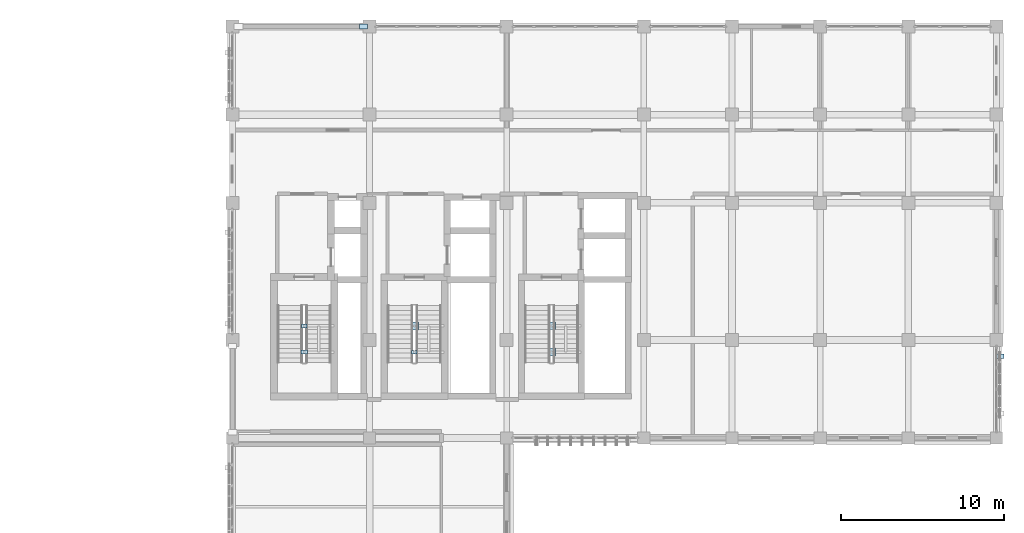
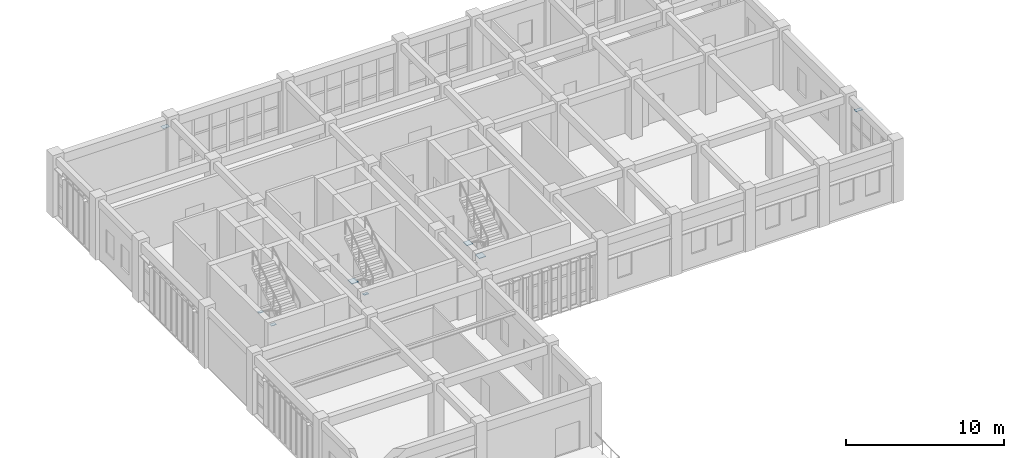
# One storey, part 67 of 76: 8 plates.
"""IFC4 building model written with IfcOpenShell, lengths in metres."""

from ifc_helpers import new_model, si_unit, direction, frame, origin, origin_2d, place, context, subcontext, project, spatial, rectangle, extrude, material, layer, layer_set, type_object, element, save


model = new_model("IFC4")

# Units and contexts
model_context = context("Model", 3, precision=1e-05, world=origin(), true_north=direction((0.0, 1.0)))
body_context = subcontext(model_context, "Body", "Model", "MODEL_VIEW")
ifc_project = project(units=[si_unit("LENGTHUNIT", "METRE"), si_unit("AREAUNIT", "SQUARE_METRE"), si_unit("VOLUMEUNIT", "CUBIC_METRE"), si_unit("PLANEANGLEUNIT", "RADIAN"), si_unit("MASSUNIT", "GRAM", prefix="KILO")], contexts=[model_context])

# Site, building, storey
site_placement = place(None, origin())
site = spatial("IfcSite", under=ifc_project, at=site_placement, CompositionType="ELEMENT")
building_placement = place(site_placement, origin())
building = spatial("IfcBuilding", under=site, at=building_placement, Name="Krzemoval Escarpment Law Courts", CompositionType="ELEMENT")
storey_placement = place(building_placement, frame((0.0, 0.0, 20.39990234375)))
storey = spatial("IfcBuildingStorey", under=building, at=storey_placement, Name="L04", CompositionType="ELEMENT", Elevation=20.39990234375)

# Plates
ifc_material_1 = material(Name="Anodised Aluminium Alloy 6063-T6", Category="aluminium")
ifc_layer_1 = layer(ifc_material_1, 0.01611328125)
ifc_layer_set_1 = layer_set([ifc_layer_1], Name="Anodised Aluminium Alloy 6063-T6")
plate_type_1 = type_object("IfcPlateType", Name="PLT-FIN-16", PredefinedType="USERDEFINED", material=ifc_layer_set_1)
plate_1_placement = place(storey_placement, frame((173.0, 98.60009765625, 3.77197265625), z_axis=(0.0, 0.0, 1.0), x_axis=(1.0, 0.0, 0.0)))
element("IfcPlate", 1, at=plate_1_placement, inside=storey, type_object=plate_type_1, Name="Sunshade Fin Blade FN-L04-0871", ObjectType="SUNSHADE_FIN", PredefinedType="USERDEFINED", context=body_context, shape_type="SweptSolid", body=[
    extrude(rectangle(XDim=0.52001953125, YDim=0.280029296875, at=origin_2d()), origin(), (0.0, 0.0, 1.0), 0.01611328125),
])
ifc_material_2 = material(Name="Steel S355", Category="steel")
ifc_layer_2 = layer(ifc_material_2, 0.034912109375)
ifc_layer_set_2 = layer_set([ifc_layer_2], Name="Steel S355")
plate_type_2 = type_object("IfcPlateType", Name="PLT-FLG-35", PredefinedType="USERDEFINED", material=ifc_layer_set_2)
plate_2_placement = place(storey_placement, frame((145.550048828125, 100.4599609375, 1.95263671875), z_axis=(0.0, 0.0, 1.0), x_axis=(1.0, 0.0, 0.0)))
element("IfcPlate", 2, at=plate_2_placement, inside=storey, type_object=plate_type_2, Name="Gusset and End-Cap Plate ECP-0351", ObjectType="FLANGE_PLATE", PredefinedType="USERDEFINED", context=body_context, shape_type="SweptSolid", body=[
    extrude(rectangle(XDim=0.4599609375, YDim=0.4599609375, at=origin_2d()), origin(), (0.0, 0.0, 1.0), 0.034912109375),
])
ifc_material_3 = material(Name="Steel S355", Category="steel")
ifc_layer_3 = layer(ifc_material_3, 0.0400390625)
ifc_layer_set_3 = layer_set([ifc_layer_3], Name="Steel S355")
plate_type_3 = type_object("IfcPlateType", Name="PLT-FLG-40", PredefinedType="USERDEFINED", material=ifc_layer_set_3)
for number, where, z_axis, x_axis, name in (
    (3, (137.14990234375, 100.4599609375, 1.9501953125), (0.0, 0.0, 1.0), (1.0, 0.0, 0.0), "Gusset and End-Cap Plate ECP-0329"),
    (4, (145.550048828125, 98.860107421875, 1.9501953125), (0.0, 0.0, 1.0), (1.0, 0.0, 0.0), "Gusset and End-Cap Plate ECP-0350"),
):
    element("IfcPlate", number, at=place(storey_placement, frame(where, z_axis=z_axis, x_axis=x_axis)), inside=storey, type_object=plate_type_3, Name=name, ObjectType="FLANGE_PLATE", PredefinedType="USERDEFINED", context=body_context, shape_type="SweptSolid", body=[
        extrude(rectangle(XDim=0.5, YDim=0.5, at=origin_2d()), origin(), (0.0, 0.0, 1.0), 0.0400390625),
    ])
ifc_material_4 = material(Name="Steel S355", Category="steel")
ifc_layer_4 = layer(ifc_material_4, 0.011962890625)
ifc_layer_set_4 = layer_set([ifc_layer_4], Name="Steel S355")
plate_type_4 = type_object("IfcPlateType", Name="PLT-GUS-12", PredefinedType="USERDEFINED", material=ifc_layer_set_4)
for number, where, z_axis, x_axis, name in (
    (5, (130.39990234375, 100.4599609375, 1.96435546875), (0.0, 0.0, 1.0), (1.0, 0.0, 0.0), "Gusset and End-Cap Plate ECP-0307"),
    (6, (137.14990234375, 98.860107421875, 1.96435546875), (0.0, 0.0, 1.0), (1.0, 0.0, 0.0), "Gusset and End-Cap Plate ECP-0328"),
):
    element("IfcPlate", number, at=place(storey_placement, frame(where, z_axis=z_axis, x_axis=x_axis)), inside=storey, type_object=plate_type_4, Name=name, ObjectType="GUSSET_PLATE", PredefinedType="USERDEFINED", context=body_context, shape_type="SweptSolid", body=[
        extrude(rectangle(XDim=0.340087890625, YDim=0.219970703125, at=origin_2d()), origin(), (0.0, 0.0, 1.0), 0.011962890625),
    ])
ifc_material_5 = material(Name="Steel S355", Category="steel")
ifc_layer_5 = layer(ifc_material_5, 0.01611328125)
ifc_layer_set_5 = layer_set([ifc_layer_5], Name="Steel S355")
plate_type_5 = type_object("IfcPlateType", Name="PLT-GUS-16", PredefinedType="USERDEFINED", material=ifc_layer_set_5)
plate_3_placement = place(storey_placement, frame((130.39990234375, 98.860107421875, 1.962158203125), z_axis=(0.0, 0.0, 1.0), x_axis=(1.0, 0.0, 0.0)))
element("IfcPlate", 7, at=plate_3_placement, inside=storey, type_object=plate_type_5, Name="Gusset and End-Cap Plate ECP-0306", ObjectType="GUSSET_PLATE", PredefinedType="USERDEFINED", context=body_context, shape_type="SweptSolid", body=[
    extrude(rectangle(XDim=0.3798828125, YDim=0.260009765625, at=origin_2d()), origin(), (0.0, 0.0, 1.0), 0.01611328125),
])
ifc_material_6 = material(Name="Steel S355", Category="steel")
ifc_layer_6 = layer(ifc_material_6, 0.02001953125)
ifc_layer_set_6 = layer_set([ifc_layer_6], Name="Steel S355")
plate_type_6 = type_object("IfcPlateType", Name="PLT-GUS-20", PredefinedType="USERDEFINED", material=ifc_layer_set_6)
plate_4_placement = place(storey_placement, frame((134.02490234375, 118.800048828125, 3.860107421875), z_axis=(0.0, 0.0, 1.0), x_axis=(1.0, 0.0, 0.0)))
element("IfcPlate", 8, at=plate_4_placement, inside=storey, type_object=plate_type_6, Name="Gusset and End-Cap Plate ECP-0281", ObjectType="GUSSET_PLATE", PredefinedType="USERDEFINED", context=body_context, shape_type="SweptSolid", body=[
    extrude(rectangle(XDim=0.47998046875, YDim=0.320068359375, at=origin_2d()), origin(), (0.0, 0.0, 1.0), 0.02001953125),
])

save(model, "model.ifc")
